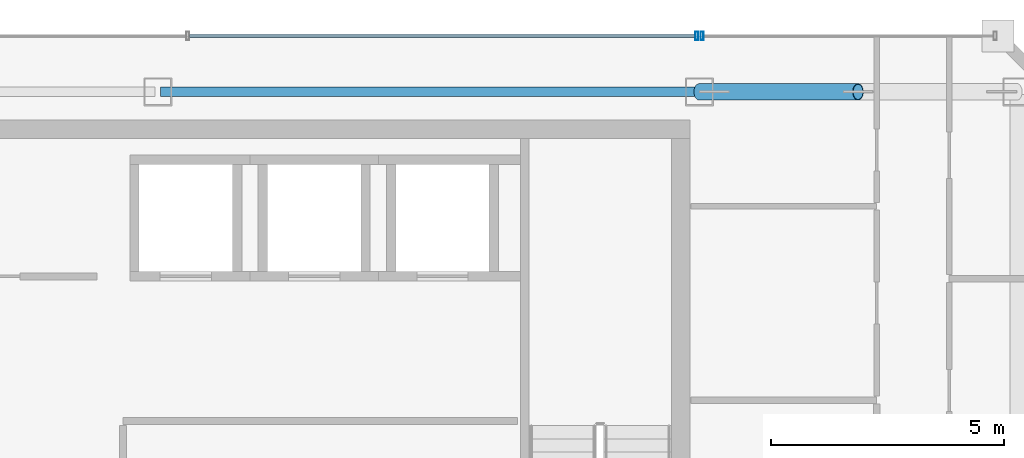
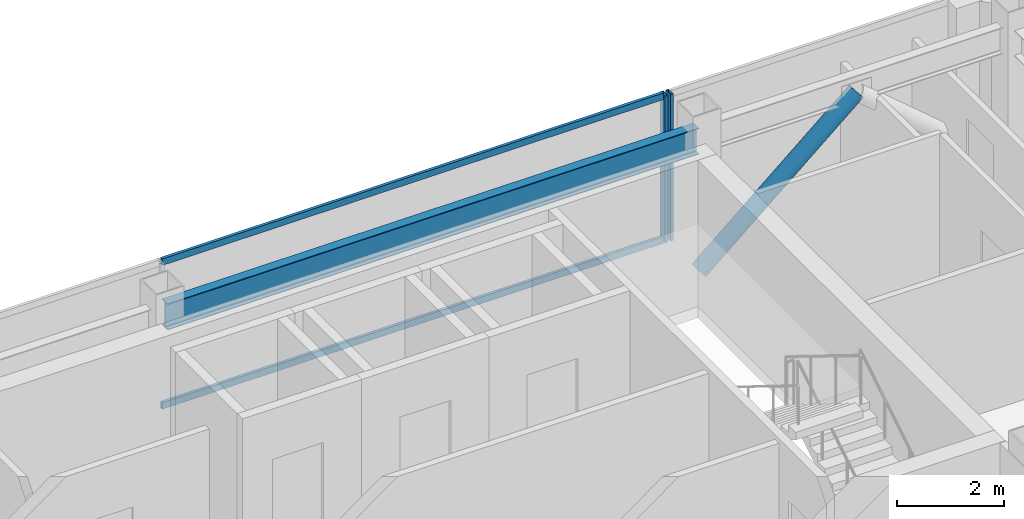
# One storey, part 21 of 30: 5 members, 1 beam, 2 elements without a shape of their own.
"""IFC4 building model written with IfcOpenShell, lengths in metres."""

from ifc_helpers import new_model, si_unit, direction, frame, origin, origin_2d, place, context, subcontext, project, spatial, hollow_rectangle, hollow_circle, i_section, extrude, material, material_profile, profile_set, type_object, element, aggregate, save


model = new_model("IFC4")

# Units and contexts
model_context = context("Model", 3, precision=1e-05, world=origin(), true_north=direction((0.0, 1.0)))
body_context = subcontext(model_context, "Body", "Model", "MODEL_VIEW")
ifc_project = project(units=[si_unit("LENGTHUNIT", "METRE"), si_unit("AREAUNIT", "SQUARE_METRE"), si_unit("VOLUMEUNIT", "CUBIC_METRE"), si_unit("PLANEANGLEUNIT", "RADIAN"), si_unit("MASSUNIT", "GRAM", prefix="KILO")], contexts=[model_context])

# Site, building, storey
site_placement = place(None, origin())
site = spatial("IfcSite", under=ifc_project, at=site_placement, CompositionType="ELEMENT")
building_placement = place(site_placement, origin())
building = spatial("IfcBuilding", under=site, at=building_placement, Name="Saevonmaru Cultural Tower", CompositionType="ELEMENT")
storey_placement = place(building_placement, frame((0.0, 0.0, 272.39990234375)))
storey = spatial("IfcBuildingStorey", under=building, at=storey_placement, Name="L64", CompositionType="ELEMENT", Elevation=272.39990234375)

# Beam
ifc_material_1 = material(Name="Steel SM355", Category="steel")
ifc_material_profile_1 = material_profile(ifc_material_1, i_section(OverallWidth=0.199951171875, OverallDepth=0.60009765625, WebThickness=0.010986328125, FlangeThickness=0.01708984375, FilletRadius=0.02197265625, at=origin_2d()), Name="H-600x200x11x17")
ifc_profile_set_1 = profile_set([ifc_material_profile_1], Name="Steel SM355")
beam_type = type_object("IfcBeamType", Name="BM-SP-H600", PredefinedType="SPANDREL", material=ifc_profile_set_1)
beam_placement = place(storey_placement, frame((34.860107421875, 54.800048828125, 3.050048828125), z_axis=(1.0, 0.0, 0.0), x_axis=(0.0, 1.0, 0.0)))
element("IfcBeam", 1, at=beam_placement, inside=storey, type_object=beam_type, Name="L64 North Spine Girder 4", PredefinedType="SPANDREL", context=body_context, shape_type="SweptSolid", body=[
    extrude(i_section(OverallWidth=0.199951171875, OverallDepth=0.60009765625, WebThickness=0.010986328125, FlangeThickness=0.01708984375, FilletRadius=0.02197265625, at=origin_2d()), origin(), (0.0, 0.0, 1.0), 11.47998046875),
])

# Member
ifc_material_profile_2 = material_profile(ifc_material_1, hollow_circle(Radius=0.177734375, WallThickness=0.01611328125, at=origin_2d()), Name="CHS-355.6x16")
ifc_profile_set_2 = profile_set([ifc_material_profile_2], Name="Steel SM355")
member_type_1 = type_object("IfcMemberType", Name="MB-PBR-CHS356", PredefinedType="BRACE", material=ifc_profile_set_2)
member_1_placement = place(storey_placement, frame((46.39990234375, 54.800048828125, 0.02001953125), z_axis=(0.76083157198, 0.0, 0.648949396392), x_axis=(0.0, 1.0, 0.0)))
element("IfcMember", 2, at=member_1_placement, inside=storey, type_object=member_type_1, Name="L64 Perimeter Braced-Tube Diagonal EN1", PredefinedType="BRACE", context=body_context, shape_type="SweptSolid", body=[
    extrude(hollow_circle(Radius=0.177734375, WallThickness=0.01611328125, at=origin_2d()), origin(), (0.0, 0.0, 1.0), 4.468994140625),
])

# Curtain wall, member
ifc_material_2 = material(Name="Satin Bronze Anodised Aluminium", Category="aluminium")
curtain_wall_type = type_object("IfcCurtainWallType", Name="CW-TYP-B", PredefinedType="NOTDEFINED", material=ifc_material_2)
curtain_wall_1_placement = place(storey_placement, origin())
curtain_wall_1 = element("IfcCurtainWall", 3, at=curtain_wall_1_placement, inside=storey, type_object=curtain_wall_type, Name="L64 East Braced Bay Spandrel Curtain Wall E10A", PredefinedType="NOTDEFINED")
ifc_material_profile_3 = material_profile(ifc_material_2, hollow_rectangle(XDim=0.06494140625, YDim=0.179931640625, WallThickness=0.00390625, at=origin_2d()), Name="ALU-MULL-180x65x4")
ifc_profile_set_3 = profile_set([ifc_material_profile_3], Name="Satin Bronze Anodised Aluminium")
member_type_2 = type_object("IfcMemberType", Name="ML-CW-180x65", PredefinedType="MULLION", material=ifc_profile_set_3)
member_2_placement = place(storey_placement, frame((46.4599609375, 56.0, 0.0), z_axis=(0.0, 0.0, 1.0), x_axis=(-1.0, 0.0, 0.0)))
member_2 = element("IfcMember", 4, at=member_2_placement, type_object=member_type_2, Name="CW-TW-L64-E10A mullion 2", PredefinedType="MULLION", context=body_context, shape_type="SweptSolid", body=[
    extrude(hollow_rectangle(XDim=0.06494140625, YDim=0.179931640625, WallThickness=0.00390625, at=origin_2d()), origin(), (0.0, 0.0, 1.0), 3.35009765625),
])
aggregate(curtain_wall_1, [member_2])

# Curtain wall, members
curtain_wall_2_placement = place(storey_placement, origin())
curtain_wall_2 = element("IfcCurtainWall", 5, at=curtain_wall_2_placement, inside=storey, type_object=curtain_wall_type, Name="L64 North Spine Unitised Curtain Wall E10B", PredefinedType="NOTDEFINED")
member_3_placement = place(storey_placement, frame((46.340087890625, 56.0, 0.0), z_axis=(0.0, 0.0, 1.0), x_axis=(-1.0, 0.0, 0.0)))
member_3 = element("IfcMember", 6, at=member_3_placement, type_object=member_type_2, Name="CW-TW-L64-E10B mullion 1", PredefinedType="MULLION", context=body_context, shape_type="SweptSolid", body=[
    extrude(hollow_rectangle(XDim=0.06494140625, YDim=0.179931640625, WallThickness=0.00390625, at=origin_2d()), origin(), (0.0, 0.0, 1.0), 3.35009765625),
])
ifc_material_profile_4 = material_profile(ifc_material_2, hollow_rectangle(XDim=0.06494140625, YDim=0.14990234375, WallThickness=0.00390625, at=origin_2d()), Name="ALU-TRAN-150x65x4")
ifc_profile_set_4 = profile_set([ifc_material_profile_4], Name="Satin Bronze Anodised Aluminium")
member_type_3 = type_object("IfcMemberType", Name="TR-CW-150x65", PredefinedType="USERDEFINED", material=ifc_profile_set_4)
member_4_placement = place(storey_placement, frame((46.3076171875, 56.0, 0.03271484375), z_axis=(-1.0, 0.0, 0.0), x_axis=(0.0, -1.0, 0.0)))
member_4 = element("IfcMember", 7, at=member_4_placement, type_object=member_type_3, Name="CW-TW-L64-E10B transom 1.1", ObjectType="TRANSOM", PredefinedType="USERDEFINED", context=body_context, shape_type="SweptSolid", body=[
    extrude(hollow_rectangle(XDim=0.06494140625, YDim=0.14990234375, WallThickness=0.00390625, at=origin_2d()), origin(), (0.0, 0.0, 1.0), 10.828369140625),
])
member_5_placement = place(storey_placement, frame((46.3076171875, 56.0, 3.317626953125), z_axis=(-1.0, 0.0, 0.0), x_axis=(0.0, -1.0, 0.0)))
member_5 = element("IfcMember", 8, at=member_5_placement, type_object=member_type_3, Name="CW-TW-L64-E10B transom 1.2", ObjectType="TRANSOM", PredefinedType="USERDEFINED", context=body_context, shape_type="SweptSolid", body=[
    extrude(hollow_rectangle(XDim=0.06494140625, YDim=0.14990234375, WallThickness=0.00390625, at=origin_2d()), origin(), (0.0, 0.0, 1.0), 10.828369140625),
])
aggregate(curtain_wall_2, [member_3, member_4, member_5])

save(model, "model.ifc")
